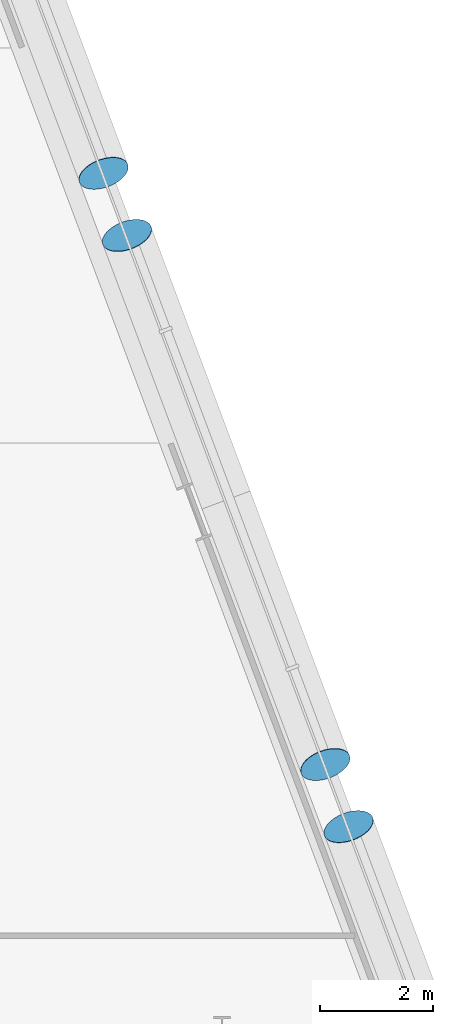
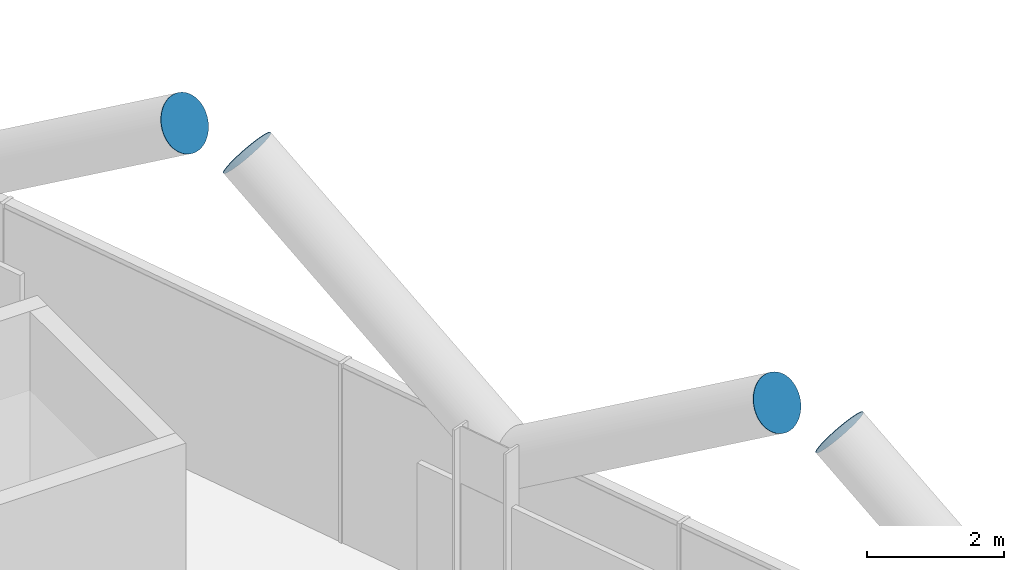
# One storey, part 23 of 27: 4 discrete accessories.
"""IFC4 building model written with IfcOpenShell, lengths in metres."""

from ifc_helpers import new_model, si_unit, direction, frame, origin, origin_2d, place, context, subcontext, project, spatial, circle, extrude, material, material_profile, profile_set, type_object, element, save


model = new_model("IFC4")

# Units and contexts
model_context = context("Model", 3, precision=1e-05, world=origin(), true_north=direction((0.0, 1.0)))
body_context = subcontext(model_context, "Body", "Model", "MODEL_VIEW")
ifc_project = project(units=[si_unit("LENGTHUNIT", "METRE"), si_unit("AREAUNIT", "SQUARE_METRE"), si_unit("VOLUMEUNIT", "CUBIC_METRE"), si_unit("PLANEANGLEUNIT", "RADIAN"), si_unit("MASSUNIT", "GRAM", prefix="KILO")], contexts=[model_context])

# Site, building, storey
site_placement = place(None, origin())
site = spatial("IfcSite", under=ifc_project, at=site_placement, CompositionType="ELEMENT")
building_placement = place(site_placement, origin())
building = spatial("IfcBuilding", under=site, at=building_placement, Name="Wharfspan Tower", CompositionType="ELEMENT")
storey_placement = place(building_placement, frame((0.0, 0.0, 81.100098)))
storey = spatial("IfcBuildingStorey", under=building, at=storey_placement, Name="L17", CompositionType="ELEMENT", Elevation=81.100098)

# Discrete accessories
ifc_material = material(Name="Steel S460NH", Category="steel")
ifc_material_profile = material_profile(ifc_material, circle(Radius=0.457031, at=origin_2d()))
ifc_profile_set = profile_set([ifc_material_profile], Name="Steel S460NH")
discrete_accessory_type = type_object("IfcDiscreteAccessoryType", Name="End plate CHS 914x40", PredefinedType="BRACKET", material=ifc_profile_set)
for number, where, z_axis, x_axis, name in (
    (1, (86.251465, 15.172852, 6.117432), (-0.295241, 0.787309, 0.541275), (-0.936333, -0.351125, 0.0), "End plate CHS 914x40"),
    (2, (85.833008, 16.288574, 6.117432), (0.295241, -0.787309, 0.541275), (0.936333, 0.351125, 0.0), "End plate CHS 914x40"),
    (3, (82.313965, 25.672852, 6.117432), (-0.295241, 0.787309, 0.541275), (-0.936333, -0.351125, 0.0), "End plate CHS 914x40"),
    (4, (81.895508, 26.788574, 6.117432), (0.295241, -0.787309, 0.541275), (0.936333, 0.351125, 0.0), "End plate CHS 914x40"),
):
    element("IfcDiscreteAccessory", number, at=place(storey_placement, frame(where, z_axis=z_axis, x_axis=x_axis)), inside=storey, type_object=discrete_accessory_type, Name=name, PredefinedType="BRACKET", context=body_context, shape_type="SweptSolid", body=[
        extrude(circle(Radius=0.457031, at=origin_2d()), origin(), (0.0, 0.0, 1.0), 0.01001),
    ])

save(model, "model.ifc")
